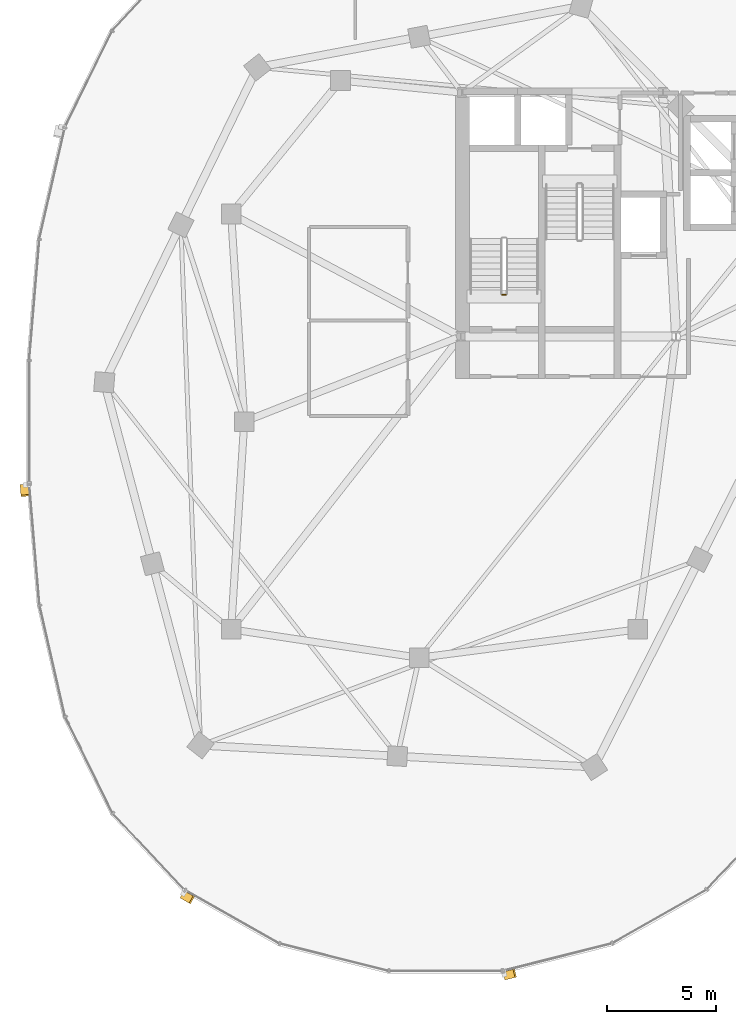
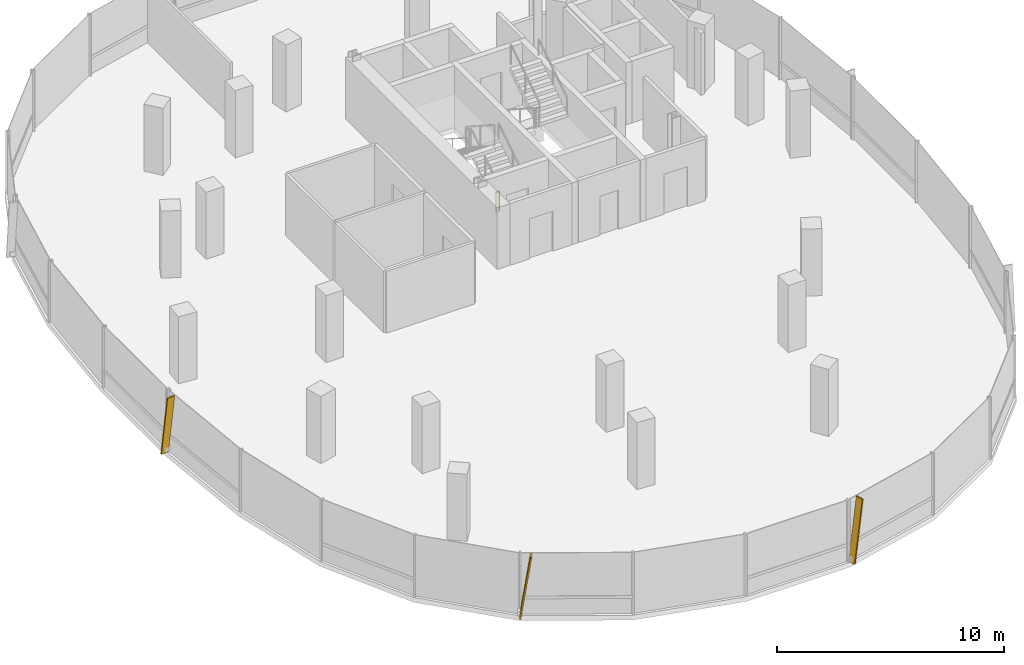
# One storey, part 20 of 24: 3 shading devices, 1 railing.
"""IFC4 building model written with IfcOpenShell, lengths in metres."""

from ifc_helpers import new_model, si_unit, direction, frame, origin, origin_2d, place, context, subcontext, project, spatial, rectangle, extrude, material, material_profile, profile_set, type_object, element, save


model = new_model("IFC4")

# Units and contexts
model_context = context("Model", 3, precision=1e-05, world=origin(), true_north=direction((0.0, 1.0)))
body_context = subcontext(model_context, "Body", "Model", "MODEL_VIEW")
ifc_project = project(units=[si_unit("LENGTHUNIT", "METRE"), si_unit("AREAUNIT", "SQUARE_METRE"), si_unit("VOLUMEUNIT", "CUBIC_METRE"), si_unit("PLANEANGLEUNIT", "RADIAN"), si_unit("MASSUNIT", "GRAM", prefix="KILO"), si_unit("THERMODYNAMICTEMPERATUREUNIT", "KELVIN"), si_unit("POWERUNIT", "WATT")], contexts=[model_context])

# Site, building, storey
site_placement = place(None, origin())
site = spatial("IfcSite", under=ifc_project, at=site_placement, CompositionType="ELEMENT")
building_placement = place(site_placement, origin())
building = spatial("IfcBuilding", under=site, at=building_placement, Name="Cundina Bronze Exchange", CompositionType="ELEMENT")
storey_placement = place(building_placement, frame((0.0, 0.0, 231.39990234375)))
storey = spatial("IfcBuildingStorey", under=building, at=storey_placement, Name="L61", CompositionType="ELEMENT", Elevation=231.39990234375)

# Railing
ifc_material_1 = material(Name="Steel ASTM A36 Painted", Category="steel")
railing_type = type_object("IfcRailingType", Name="RLG-STG-1100", PredefinedType="GUARDRAIL", material=ifc_material_1)
railing_placement = place(storey_placement, frame((-29.239990234375, 5.800048828125, 0.0)))
element("IfcRailing", 1, at=railing_placement, inside=storey, type_object=railing_type, Name="L61 ST-W1 stair guard 4", PredefinedType="GUARDRAIL", context=body_context, shape_type="SweptSolid", body=[
    extrude(rectangle(XDim=0.048095703125, YDim=0.048095703125, at=origin_2d()), frame((0.0, 0.0, 1.076171875), z_axis=(-1.0, 0.0, 0.0), x_axis=(0.0, -1.0, 0.0)), (0.0, 0.0, 1.0), 0.159912109375),
    extrude(rectangle(XDim=0.0419921875, YDim=0.0419921875, at=origin_2d()), origin(), (0.0, 0.0, 1.0), 1.052001953125),
    extrude(rectangle(XDim=0.0419921875, YDim=0.0419921875, at=origin_2d()), frame((-0.159912109375, 0.0, 0.0)), (0.0, 0.0, 1.0), 1.052001953125),
])

# Shading devices
ifc_material_2 = material(Name="Anodised Bronze Aluminium 6063-T6", Category="aluminium")
ifc_material_profile = material_profile(ifc_material_2, rectangle(XDim=0.070068359375, YDim=0.3798828125, at=origin_2d()), Name="FIN70X380", Category="aluminium")
ifc_profile_set = profile_set([ifc_material_profile], Name="Anodised Bronze Aluminium 6063-T6")
shading_device_type = type_object("IfcShadingDeviceType", Name="SHD-FIN-BRZ380", PredefinedType="USERDEFINED", material=ifc_profile_set)
for number, where, z_axis, x_axis, name in (
    (2, (-51.264404296875, -2.90283203125, 0.02001953125), (0.01207830578, -0.144276835504, 0.989463647269), (-0.082545368101, 0.986014488469, 0.144781527598), "L61 Diagonal Bronze Solar Fin 1"),
    (3, (-44.015625, -21.635498046875, 0.02001953125), (0.125937624803, -0.071511949523, 0.989457303644), (-0.860417819246, 0.488576434203, 0.144824874471), "L61 Diagonal Bronze Solar Fin 5"),
    (4, (-29.294189453125, -25.344482421875, 0.02001953125), (0.140446187226, 0.035350901871, 0.989457013837), (-0.959528297059, -0.241517347975, 0.144826854449), "L61 Diagonal Bronze Solar Fin 1"),
):
    element("IfcShadingDevice", number, at=place(storey_placement, frame(where, z_axis=z_axis, x_axis=x_axis)), inside=storey, type_object=shading_device_type, Name=name, ObjectType="FIN", PredefinedType="USERDEFINED", context=body_context, shape_type="SweptSolid", body=[
        extrude(rectangle(XDim=0.070068359375, YDim=0.3798828125, at=origin_2d()), origin(), (0.0, 0.0, 1.0), 3.31494140625),
    ])

save(model, "model.ifc")
